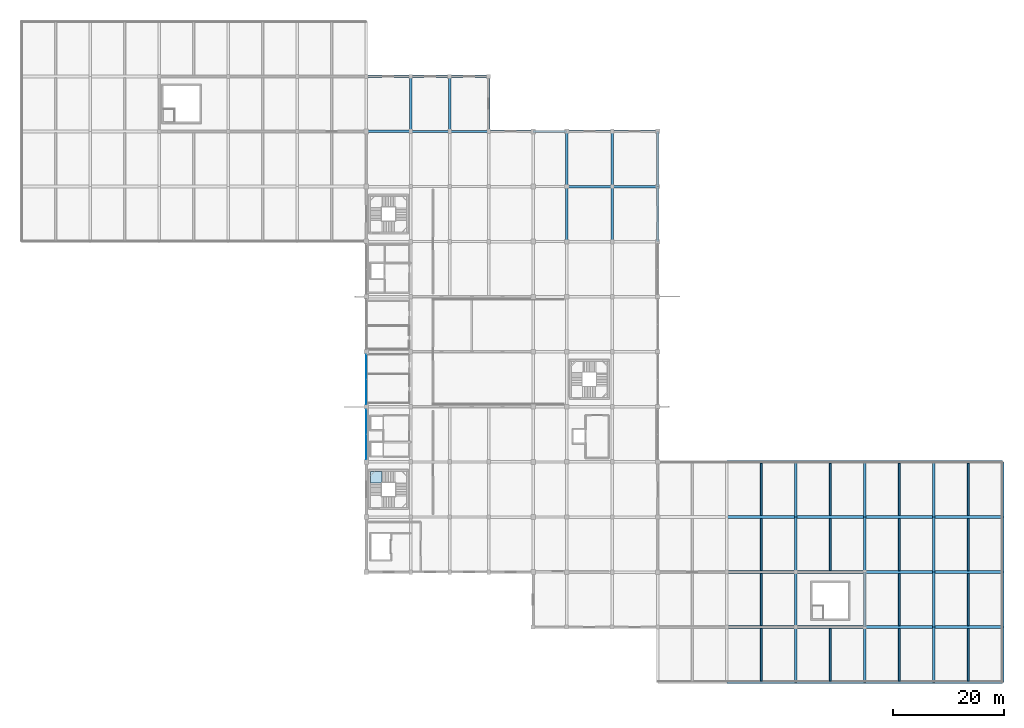
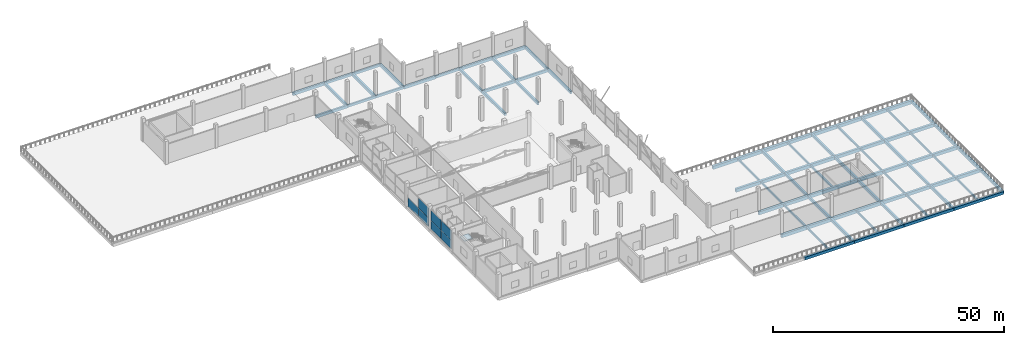
# One storey, part 23 of 46: 72 beams, 7 plates, 1 slab, 3 elements without a shape of their own.
"""IFC4 building model written with IfcOpenShell, lengths in metres."""

from ifc_helpers import new_model, si_unit, direction, frame, origin, origin_2d, place, context, subcontext, project, spatial, polyline, rectangle, outline, extrude, material, layer, layer_set, material_profile, profile_set, type_object, element, aggregate, save


model = new_model("IFC4")

# Units and contexts
model_context = context("Model", 3, precision=1e-05, world=origin(), true_north=direction((0.0, 1.0)))
body_context = subcontext(model_context, "Body", "Model", "MODEL_VIEW")
ifc_project = project(units=[si_unit("LENGTHUNIT", "METRE"), si_unit("AREAUNIT", "SQUARE_METRE"), si_unit("VOLUMEUNIT", "CUBIC_METRE"), si_unit("PLANEANGLEUNIT", "RADIAN"), si_unit("MASSUNIT", "GRAM", prefix="KILO")], contexts=[model_context])

# Site, building, storey
site_placement = place(None, origin())
site = spatial("IfcSite", under=ifc_project, at=site_placement, CompositionType="ELEMENT")
building_placement = place(site_placement, origin())
building = spatial("IfcBuilding", under=site, at=building_placement, Name="Sillaruma Civic Art Gallery", CompositionType="ELEMENT")
storey_placement = place(building_placement, frame((0.0, 0.0, 16.320068359375)))
storey = spatial("IfcBuildingStorey", under=building, at=storey_placement, Name="L03", CompositionType="ELEMENT", Elevation=16.320068359375)

# Beams
ifc_material_1 = material(Name="Concrete H35 (35 MPa)", Category="concrete")
ifc_material_profile_1 = material_profile(ifc_material_1, rectangle(XDim=0.39990234375, YDim=0.64990234375, at=origin_2d()), Name="RCB400x650")
ifc_profile_set_1 = profile_set([ifc_material_profile_1], Name="Concrete H35 (35 MPa)")
beam_type_1 = type_object("IfcBeamType", Name="BM-BEAM-RCB400x650", PredefinedType="BEAM", material=ifc_profile_set_1)
for number, where, z_axis, x_axis, name in (
    (1, (70.0, 99.0, -0.60498046875), (1.0, 0.0, 0.0), (0.0, 1.0, 0.0), "Beam BM-05 (L02:11:G-H)"),
    (2, (77.0, 99.0, -0.60498046875), (1.0, 0.0, 0.0), (0.0, 1.0, 0.0), "Beam BM-05 (L02:11:H-J)"),
):
    element("IfcBeam", number, at=place(storey_placement, frame(where, z_axis=z_axis, x_axis=x_axis)), inside=storey, type_object=beam_type_1, Name=name, PredefinedType="BEAM", context=body_context, shape_type="SweptSolid", body=[
        extrude(rectangle(XDim=0.39990234375, YDim=0.64990234375, at=origin_2d()), origin(), (0.0, 0.0, 1.0), 7.0),
    ])
beam_1_placement = place(storey_placement, frame((92.0, 99.0, -0.60498046875), z_axis=(1.0, 0.0, 0.0), x_axis=(0.0, 1.0, 0.0)))
element("IfcBeam", 3, at=beam_1_placement, inside=storey, type_object=beam_type_1, Name="Beam BM-05 (L02:11:K-L)", PredefinedType="BEAM", context=body_context, shape_type="SweptSolid", body=[
    extrude(rectangle(XDim=0.39990234375, YDim=0.64990234375, at=origin_2d()), origin(), (0.0, 0.0, 1.0), 6.0),
])
for number, where, z_axis, x_axis, name in (
    (4, (70.0, 108.89990234375, -0.60498046875), (1.0, 0.0, 0.0), (0.0, 1.0, 0.0), "Beam BM-05 (L02:12:G-H)"),
    (5, (77.0, 108.89990234375, -0.60498046875), (1.0, 0.0, 0.0), (0.0, 1.0, 0.0), "Beam BM-05 (L02:12:H-J)"),
):
    element("IfcBeam", number, at=place(storey_placement, frame(where, z_axis=z_axis, x_axis=x_axis)), inside=storey, type_object=beam_type_1, Name=name, PredefinedType="BEAM", context=body_context, shape_type="SweptSolid", body=[
        extrude(rectangle(XDim=0.39990234375, YDim=0.64990234375, at=origin_2d()), origin(), (0.0, 0.0, 1.0), 7.0),
    ])
ifc_material_2 = material(Name="Concrete H40 (40 MPa)", Category="concrete")
ifc_material_profile_2 = material_profile(ifc_material_2, rectangle(XDim=0.449951171875, YDim=0.75, at=origin_2d()), Name="RCB450x750")
ifc_profile_set_2 = profile_set([ifc_material_profile_2], Name="Concrete H40 (40 MPa)")
beam_type_2 = type_object("IfcBeamType", Name="BM-BEAM-RCB450x750", PredefinedType="BEAM", material=ifc_profile_set_2)
for number, where, z_axis, x_axis, name in (
    (6, (98.0, 89.10009765625, -0.655029296875), (1.0, 0.0, 0.0), (0.0, 1.0, 0.0), "Beam BM-03 (L02:10:L-M)"),
    (7, (106.199951171875, 89.10009765625, -0.655029296875), (1.0, 0.0, 0.0), (0.0, 1.0, 0.0), "Beam BM-03 (L02:10:M-N)"),
):
    element("IfcBeam", number, at=place(storey_placement, frame(where, z_axis=z_axis, x_axis=x_axis)), inside=storey, type_object=beam_type_2, Name=name, PredefinedType="BEAM", context=body_context, shape_type="SweptSolid", body=[
        extrude(rectangle(XDim=0.449951171875, YDim=0.75, at=origin_2d()), origin(), (0.0, 0.0, 1.0), 8.199951171875),
    ])
for number, where, z_axis, x_axis, name in (
    (8, (62.0, 99.0, -0.655029296875), (1.0, 0.0, 0.0), (0.0, 1.0, 0.0), "Beam BM-03 (L02:11:F-G)"),
    (9, (84.0, 99.0, -0.655029296875), (1.0, 0.0, 0.0), (0.0, 1.0, 0.0), "Beam BM-03 (L02:11:J-K)"),
):
    element("IfcBeam", number, at=place(storey_placement, frame(where, z_axis=z_axis, x_axis=x_axis)), inside=storey, type_object=beam_type_2, Name=name, PredefinedType="BEAM", context=body_context, shape_type="SweptSolid", body=[
        extrude(rectangle(XDim=0.449951171875, YDim=0.75, at=origin_2d()), origin(), (0.0, 0.0, 1.0), 8.0),
    ])
for number, where, z_axis, x_axis, name in (
    (10, (98.0, 99.0, -0.655029296875), (1.0, 0.0, 0.0), (0.0, 1.0, 0.0), "Beam BM-03 (L02:11:L-M)"),
    (11, (106.199951171875, 99.0, -0.655029296875), (1.0, 0.0, 0.0), (0.0, 1.0, 0.0), "Beam BM-03 (L02:11:M-N)"),
):
    element("IfcBeam", number, at=place(storey_placement, frame(where, z_axis=z_axis, x_axis=x_axis)), inside=storey, type_object=beam_type_2, Name=name, PredefinedType="BEAM", context=body_context, shape_type="SweptSolid", body=[
        extrude(rectangle(XDim=0.449951171875, YDim=0.75, at=origin_2d()), origin(), (0.0, 0.0, 1.0), 8.199951171875),
    ])
beam_2_placement = place(storey_placement, frame((62.0, 108.89990234375, -0.655029296875), z_axis=(1.0, 0.0, 0.0), x_axis=(0.0, 1.0, 0.0)))
element("IfcBeam", 12, at=beam_2_placement, inside=storey, type_object=beam_type_2, Name="Beam BM-03 (L02:12:F-G)", PredefinedType="BEAM", context=body_context, shape_type="SweptSolid", body=[
    extrude(rectangle(XDim=0.449951171875, YDim=0.75, at=origin_2d()), origin(), (0.0, 0.0, 1.0), 8.0),
])
for number, where, z_axis, x_axis, name in (
    (13, (70.0, 99.0, -0.655029296875), (0.0, 1.0, 0.0), (-1.0, 0.0, 0.0), "Beam BM-03 (L02:G:11-12)"),
    (14, (77.0, 99.0, -0.655029296875), (0.0, 1.0, 0.0), (-1.0, 0.0, 0.0), "Beam BM-03 (L02:H:11-12)"),
    (15, (84.0, 99.0, -0.655029296875), (0.0, 1.0, 0.0), (-1.0, 0.0, 0.0), "Beam BM-03 (L02:J:11-12)"),
):
    element("IfcBeam", number, at=place(storey_placement, frame(where, z_axis=z_axis, x_axis=x_axis)), inside=storey, type_object=beam_type_2, Name=name, PredefinedType="BEAM", context=body_context, shape_type="SweptSolid", body=[
        extrude(rectangle(XDim=0.449951171875, YDim=0.75, at=origin_2d()), origin(), (0.0, 0.0, 1.0), 9.89990234375),
    ])
beam_3_placement = place(storey_placement, frame((106.199951171875, 79.199951171875, -0.655029296875), z_axis=(0.0, 1.0, 0.0), x_axis=(-1.0, 0.0, 0.0)))
element("IfcBeam", 16, at=beam_3_placement, inside=storey, type_object=beam_type_2, Name="Beam BM-03 (L02:M:9-10)", PredefinedType="BEAM", context=body_context, shape_type="SweptSolid", body=[
    extrude(rectangle(XDim=0.449951171875, YDim=0.75, at=origin_2d()), origin(), (0.0, 0.0, 1.0), 9.900146484375),
])
for number, where, z_axis, x_axis, name in (
    (17, (106.199951171875, 89.10009765625, -0.655029296875), (0.0, 1.0, 0.0), (-1.0, 0.0, 0.0), "Beam BM-03 (L02:M:10-11)"),
    (18, (139.199951171875, 0.0, -0.655029296875), (0.0, 1.0, 0.0), (-1.0, 0.0, 0.0), "Beam BM-03 (L02:Q:1-2)"),
):
    element("IfcBeam", number, at=place(storey_placement, frame(where, z_axis=z_axis, x_axis=x_axis)), inside=storey, type_object=beam_type_2, Name=name, PredefinedType="BEAM", context=body_context, shape_type="SweptSolid", body=[
        extrude(rectangle(XDim=0.449951171875, YDim=0.75, at=origin_2d()), origin(), (0.0, 0.0, 1.0), 9.89990234375),
    ])
beam_4_placement = place(storey_placement, frame((139.199951171875, 9.89990234375, -0.655029296875), z_axis=(0.0, 1.0, 0.0), x_axis=(-1.0, 0.0, 0.0)))
element("IfcBeam", 19, at=beam_4_placement, inside=storey, type_object=beam_type_2, Name="Beam BM-03 (L02:Q:2-3)", PredefinedType="BEAM", context=body_context, shape_type="SweptSolid", body=[
    extrude(rectangle(XDim=0.449951171875, YDim=0.75, at=origin_2d()), origin(), (0.0, 0.0, 1.0), 9.900146484375),
])
beam_5_placement = place(storey_placement, frame((139.199951171875, 19.800048828125, -0.655029296875), z_axis=(0.0, 1.0, 0.0), x_axis=(-1.0, 0.0, 0.0)))
element("IfcBeam", 20, at=beam_5_placement, inside=storey, type_object=beam_type_2, Name="Beam BM-03 (L02:Q:3-4)", PredefinedType="BEAM", context=body_context, shape_type="SweptSolid", body=[
    extrude(rectangle(XDim=0.449951171875, YDim=0.75, at=origin_2d()), origin(), (0.0, 0.0, 1.0), 9.89990234375),
])
beam_6_placement = place(storey_placement, frame((139.199951171875, 29.699951171875, -0.655029296875), z_axis=(0.0, 1.0, 0.0), x_axis=(-1.0, 0.0, 0.0)))
element("IfcBeam", 21, at=beam_6_placement, inside=storey, type_object=beam_type_2, Name="Beam BM-03 (L02:Q:4-5)", PredefinedType="BEAM", context=body_context, shape_type="SweptSolid", body=[
    extrude(rectangle(XDim=0.449951171875, YDim=0.75, at=origin_2d()), origin(), (0.0, 0.0, 1.0), 9.900146484375),
])
beam_7_placement = place(storey_placement, frame((151.60009765625, 0.0, -0.655029296875), z_axis=(0.0, 1.0, 0.0), x_axis=(-1.0, 0.0, 0.0)))
element("IfcBeam", 22, at=beam_7_placement, inside=storey, type_object=beam_type_2, Name="Beam BM-03 (L02:R:1-2)", PredefinedType="BEAM", context=body_context, shape_type="SweptSolid", body=[
    extrude(rectangle(XDim=0.449951171875, YDim=0.75, at=origin_2d()), origin(), (0.0, 0.0, 1.0), 9.89990234375),
])
beam_8_placement = place(storey_placement, frame((151.60009765625, 9.89990234375, -0.655029296875), z_axis=(0.0, 1.0, 0.0), x_axis=(-1.0, 0.0, 0.0)))
element("IfcBeam", 23, at=beam_8_placement, inside=storey, type_object=beam_type_2, Name="Beam BM-03 (L02:R:2-3)", PredefinedType="BEAM", context=body_context, shape_type="SweptSolid", body=[
    extrude(rectangle(XDim=0.449951171875, YDim=0.75, at=origin_2d()), origin(), (0.0, 0.0, 1.0), 9.900146484375),
])
beam_9_placement = place(storey_placement, frame((151.60009765625, 19.800048828125, -0.655029296875), z_axis=(0.0, 1.0, 0.0), x_axis=(-1.0, 0.0, 0.0)))
element("IfcBeam", 24, at=beam_9_placement, inside=storey, type_object=beam_type_2, Name="Beam BM-03 (L02:R:3-4)", PredefinedType="BEAM", context=body_context, shape_type="SweptSolid", body=[
    extrude(rectangle(XDim=0.449951171875, YDim=0.75, at=origin_2d()), origin(), (0.0, 0.0, 1.0), 9.89990234375),
])
beam_10_placement = place(storey_placement, frame((151.60009765625, 29.699951171875, -0.655029296875), z_axis=(0.0, 1.0, 0.0), x_axis=(-1.0, 0.0, 0.0)))
element("IfcBeam", 25, at=beam_10_placement, inside=storey, type_object=beam_type_2, Name="Beam BM-03 (L02:R:4-5)", PredefinedType="BEAM", context=body_context, shape_type="SweptSolid", body=[
    extrude(rectangle(XDim=0.449951171875, YDim=0.75, at=origin_2d()), origin(), (0.0, 0.0, 1.0), 9.900146484375),
])
beam_11_placement = place(storey_placement, frame((164.0, 0.0, -0.655029296875), z_axis=(0.0, 1.0, 0.0), x_axis=(-1.0, 0.0, 0.0)))
element("IfcBeam", 26, at=beam_11_placement, inside=storey, type_object=beam_type_2, Name="Beam BM-03 (L02:S:1-2)", PredefinedType="BEAM", context=body_context, shape_type="SweptSolid", body=[
    extrude(rectangle(XDim=0.449951171875, YDim=0.75, at=origin_2d()), origin(), (0.0, 0.0, 1.0), 9.89990234375),
])
beam_12_placement = place(storey_placement, frame((164.0, 9.89990234375, -0.655029296875), z_axis=(0.0, 1.0, 0.0), x_axis=(-1.0, 0.0, 0.0)))
element("IfcBeam", 27, at=beam_12_placement, inside=storey, type_object=beam_type_2, Name="Beam BM-03 (L02:S:2-3)", PredefinedType="BEAM", context=body_context, shape_type="SweptSolid", body=[
    extrude(rectangle(XDim=0.449951171875, YDim=0.75, at=origin_2d()), origin(), (0.0, 0.0, 1.0), 9.900146484375),
])
beam_13_placement = place(storey_placement, frame((164.0, 19.800048828125, -0.655029296875), z_axis=(0.0, 1.0, 0.0), x_axis=(-1.0, 0.0, 0.0)))
element("IfcBeam", 28, at=beam_13_placement, inside=storey, type_object=beam_type_2, Name="Beam BM-03 (L02:S:3-4)", PredefinedType="BEAM", context=body_context, shape_type="SweptSolid", body=[
    extrude(rectangle(XDim=0.449951171875, YDim=0.75, at=origin_2d()), origin(), (0.0, 0.0, 1.0), 9.89990234375),
])
beam_14_placement = place(storey_placement, frame((164.0, 29.699951171875, -0.655029296875), z_axis=(0.0, 1.0, 0.0), x_axis=(-1.0, 0.0, 0.0)))
element("IfcBeam", 29, at=beam_14_placement, inside=storey, type_object=beam_type_2, Name="Beam BM-03 (L02:S:4-5)", PredefinedType="BEAM", context=body_context, shape_type="SweptSolid", body=[
    extrude(rectangle(XDim=0.449951171875, YDim=0.75, at=origin_2d()), origin(), (0.0, 0.0, 1.0), 9.900146484375),
])
ifc_material_profile_3 = material_profile(ifc_material_2, rectangle(XDim=0.550048828125, YDim=0.85009765625, at=origin_2d()), Name="RCB550x850")
ifc_profile_set_3 = profile_set([ifc_material_profile_3], Name="Concrete H40 (40 MPa)")
beam_type_3 = type_object("IfcBeamType", Name="BM-BEAM-RCB550x850", PredefinedType="BEAM", material=ifc_profile_set_3)
beam_15_placement = place(storey_placement, frame((126.800048828125, 9.89990234375, -0.705078125), z_axis=(1.0, 0.0, 0.0), x_axis=(0.0, 1.0, 0.0)))
element("IfcBeam", 30, at=beam_15_placement, inside=storey, type_object=beam_type_3, Name="Beam BM-01 (L02:2:P-Q)", PredefinedType="BEAM", context=body_context, shape_type="SweptSolid", body=[
    extrude(rectangle(XDim=0.550048828125, YDim=0.85009765625, at=origin_2d()), origin(), (0.0, 0.0, 1.0), 12.39990234375),
])
beam_16_placement = place(storey_placement, frame((139.199951171875, 9.89990234375, -0.705078125), z_axis=(1.0, 0.0, 0.0), x_axis=(0.0, 1.0, 0.0)))
element("IfcBeam", 31, at=beam_16_placement, inside=storey, type_object=beam_type_3, Name="Beam BM-01 (L02:2:Q-R)", PredefinedType="BEAM", context=body_context, shape_type="SweptSolid", body=[
    extrude(rectangle(XDim=0.550048828125, YDim=0.85009765625, at=origin_2d()), origin(), (0.0, 0.0, 1.0), 12.400146484375),
])
for number, where, z_axis, x_axis, name in (
    (32, (151.60009765625, 9.89990234375, -0.705078125), (1.0, 0.0, 0.0), (0.0, 1.0, 0.0), "Beam BM-01 (L02:2:R-S)"),
    (33, (164.0, 9.89990234375, -0.705078125), (1.0, 0.0, 0.0), (0.0, 1.0, 0.0), "Beam BM-01 (L02:2:S-T)"),
    (34, (126.800048828125, 19.800048828125, -0.705078125), (1.0, 0.0, 0.0), (0.0, 1.0, 0.0), "Beam BM-01 (L02:3:P-Q)"),
):
    element("IfcBeam", number, at=place(storey_placement, frame(where, z_axis=z_axis, x_axis=x_axis)), inside=storey, type_object=beam_type_3, Name=name, PredefinedType="BEAM", context=body_context, shape_type="SweptSolid", body=[
        extrude(rectangle(XDim=0.550048828125, YDim=0.85009765625, at=origin_2d()), origin(), (0.0, 0.0, 1.0), 12.39990234375),
    ])
beam_17_placement = place(storey_placement, frame((139.199951171875, 19.800048828125, -0.705078125), z_axis=(1.0, 0.0, 0.0), x_axis=(0.0, 1.0, 0.0)))
element("IfcBeam", 35, at=beam_17_placement, inside=storey, type_object=beam_type_3, Name="Beam BM-01 (L02:3:Q-R)", PredefinedType="BEAM", context=body_context, shape_type="SweptSolid", body=[
    extrude(rectangle(XDim=0.550048828125, YDim=0.85009765625, at=origin_2d()), origin(), (0.0, 0.0, 1.0), 12.400146484375),
])
for number, where, z_axis, x_axis, name in (
    (36, (151.60009765625, 19.800048828125, -0.705078125), (1.0, 0.0, 0.0), (0.0, 1.0, 0.0), "Beam BM-01 (L02:3:R-S)"),
    (37, (164.0, 19.800048828125, -0.705078125), (1.0, 0.0, 0.0), (0.0, 1.0, 0.0), "Beam BM-01 (L02:3:S-T)"),
    (38, (126.800048828125, 29.699951171875, -0.705078125), (1.0, 0.0, 0.0), (0.0, 1.0, 0.0), "Beam BM-01 (L02:4:P-Q)"),
):
    element("IfcBeam", number, at=place(storey_placement, frame(where, z_axis=z_axis, x_axis=x_axis)), inside=storey, type_object=beam_type_3, Name=name, PredefinedType="BEAM", context=body_context, shape_type="SweptSolid", body=[
        extrude(rectangle(XDim=0.550048828125, YDim=0.85009765625, at=origin_2d()), origin(), (0.0, 0.0, 1.0), 12.39990234375),
    ])
beam_18_placement = place(storey_placement, frame((139.199951171875, 29.699951171875, -0.705078125), z_axis=(1.0, 0.0, 0.0), x_axis=(0.0, 1.0, 0.0)))
element("IfcBeam", 39, at=beam_18_placement, inside=storey, type_object=beam_type_3, Name="Beam BM-01 (L02:4:Q-R)", PredefinedType="BEAM", context=body_context, shape_type="SweptSolid", body=[
    extrude(rectangle(XDim=0.550048828125, YDim=0.85009765625, at=origin_2d()), origin(), (0.0, 0.0, 1.0), 12.400146484375),
])
for number, where, z_axis, x_axis, name in (
    (40, (151.60009765625, 29.699951171875, -0.705078125), (1.0, 0.0, 0.0), (0.0, 1.0, 0.0), "Beam BM-01 (L02:4:R-S)"),
    (41, (164.0, 29.699951171875, -0.705078125), (1.0, 0.0, 0.0), (0.0, 1.0, 0.0), "Beam BM-01 (L02:4:S-T)"),
    (42, (126.800048828125, 39.60009765625, -0.705078125), (1.0, 0.0, 0.0), (0.0, 1.0, 0.0), "Beam BM-01 (L02:5:P-Q)"),
):
    element("IfcBeam", number, at=place(storey_placement, frame(where, z_axis=z_axis, x_axis=x_axis)), inside=storey, type_object=beam_type_3, Name=name, PredefinedType="BEAM", context=body_context, shape_type="SweptSolid", body=[
        extrude(rectangle(XDim=0.550048828125, YDim=0.85009765625, at=origin_2d()), origin(), (0.0, 0.0, 1.0), 12.39990234375),
    ])
beam_19_placement = place(storey_placement, frame((139.199951171875, 39.60009765625, -0.705078125), z_axis=(1.0, 0.0, 0.0), x_axis=(0.0, 1.0, 0.0)))
element("IfcBeam", 43, at=beam_19_placement, inside=storey, type_object=beam_type_3, Name="Beam BM-01 (L02:5:Q-R)", PredefinedType="BEAM", context=body_context, shape_type="SweptSolid", body=[
    extrude(rectangle(XDim=0.550048828125, YDim=0.85009765625, at=origin_2d()), origin(), (0.0, 0.0, 1.0), 12.400146484375),
])
for number, where, z_axis, x_axis, name in (
    (44, (151.60009765625, 39.60009765625, -0.705078125), (1.0, 0.0, 0.0), (0.0, 1.0, 0.0), "Beam BM-01 (L02:5:R-S)"),
    (45, (164.0, 39.60009765625, -0.705078125), (1.0, 0.0, 0.0), (0.0, 1.0, 0.0), "Beam BM-01 (L02:5:S-T)"),
):
    element("IfcBeam", number, at=place(storey_placement, frame(where, z_axis=z_axis, x_axis=x_axis)), inside=storey, type_object=beam_type_3, Name=name, PredefinedType="BEAM", context=body_context, shape_type="SweptSolid", body=[
        extrude(rectangle(XDim=0.550048828125, YDim=0.85009765625, at=origin_2d()), origin(), (0.0, 0.0, 1.0), 12.39990234375),
    ])
ifc_material_profile_4 = material_profile(ifc_material_1, rectangle(XDim=0.300048828125, YDim=0.52001953125, at=origin_2d()), Name="RCB300x520")
ifc_profile_set_4 = profile_set([ifc_material_profile_4], Name="Concrete H35 (35 MPa)")
beam_type_4 = type_object("IfcBeamType", Name="BM-JOIST-RCB300x520", PredefinedType="JOIST", material=ifc_profile_set_4)
for number, where, z_axis, x_axis, name in (
    (46, (133.0, 0.22509765625, -0.5400390625), (0.0, 1.0, 0.0), (-1.0, 0.0, 0.0), "Floor Joist JR-01 (L02:PQ:1-2)"),
    (47, (145.39990234375, 0.22509765625, -0.5400390625), (0.0, 1.0, 0.0), (-1.0, 0.0, 0.0), "Floor Joist JR-01 (L02:QR:1-2)"),
    (48, (157.800048828125, 0.22509765625, -0.5400390625), (0.0, 1.0, 0.0), (-1.0, 0.0, 0.0), "Floor Joist JR-01 (L02:RS:1-2)"),
    (49, (170.199951171875, 0.22509765625, -0.5400390625), (0.0, 1.0, 0.0), (-1.0, 0.0, 0.0), "Floor Joist JR-01 (L02:ST:1-2)"),
):
    element("IfcBeam", number, at=place(storey_placement, frame(where, z_axis=z_axis, x_axis=x_axis)), inside=storey, type_object=beam_type_4, Name=name, PredefinedType="JOIST", context=body_context, shape_type="SweptSolid", body=[
        extrude(rectangle(XDim=0.300048828125, YDim=0.52001953125, at=origin_2d()), origin(), (0.0, 0.0, 1.0), 9.39990234375),
    ])
for number, where, z_axis, x_axis, name in (
    (50, (133.0, 10.175048828125, -0.5400390625), (0.0, 1.0, 0.0), (-1.0, 0.0, 0.0), "Floor Joist JR-01 (L02:PQ:2-3)"),
    (51, (157.800048828125, 10.175048828125, -0.5400390625), (0.0, 1.0, 0.0), (-1.0, 0.0, 0.0), "Floor Joist JR-01 (L02:RS:2-3)"),
    (52, (170.199951171875, 10.175048828125, -0.5400390625), (0.0, 1.0, 0.0), (-1.0, 0.0, 0.0), "Floor Joist JR-01 (L02:ST:2-3)"),
):
    element("IfcBeam", number, at=place(storey_placement, frame(where, z_axis=z_axis, x_axis=x_axis)), inside=storey, type_object=beam_type_4, Name=name, PredefinedType="JOIST", context=body_context, shape_type="SweptSolid", body=[
        extrude(rectangle(XDim=0.300048828125, YDim=0.52001953125, at=origin_2d()), origin(), (0.0, 0.0, 1.0), 9.349853515625),
    ])
for number, where, z_axis, x_axis, name in (
    (53, (133.0, 20.074951171875, -0.5400390625), (0.0, 1.0, 0.0), (-1.0, 0.0, 0.0), "Floor Joist JR-01 (L02:PQ:3-4)"),
    (54, (145.39990234375, 20.074951171875, -0.5400390625), (0.0, 1.0, 0.0), (-1.0, 0.0, 0.0), "Floor Joist JR-01 (L02:QR:3-4)"),
    (55, (157.800048828125, 20.074951171875, -0.5400390625), (0.0, 1.0, 0.0), (-1.0, 0.0, 0.0), "Floor Joist JR-01 (L02:RS:3-4)"),
    (56, (170.199951171875, 20.074951171875, -0.5400390625), (0.0, 1.0, 0.0), (-1.0, 0.0, 0.0), "Floor Joist JR-01 (L02:ST:3-4)"),
):
    element("IfcBeam", number, at=place(storey_placement, frame(where, z_axis=z_axis, x_axis=x_axis)), inside=storey, type_object=beam_type_4, Name=name, PredefinedType="JOIST", context=body_context, shape_type="SweptSolid", body=[
        extrude(rectangle(XDim=0.300048828125, YDim=0.52001953125, at=origin_2d()), origin(), (0.0, 0.0, 1.0), 9.35009765625),
    ])
for number, where, z_axis, x_axis, name in (
    (57, (133.0, 29.97509765625, -0.5400390625), (0.0, 1.0, 0.0), (-1.0, 0.0, 0.0), "Floor Joist JR-01 (L02:PQ:4-5)"),
    (58, (145.39990234375, 29.97509765625, -0.5400390625), (0.0, 1.0, 0.0), (-1.0, 0.0, 0.0), "Floor Joist JR-01 (L02:QR:4-5)"),
    (59, (157.800048828125, 29.97509765625, -0.5400390625), (0.0, 1.0, 0.0), (-1.0, 0.0, 0.0), "Floor Joist JR-01 (L02:RS:4-5)"),
    (60, (170.199951171875, 29.97509765625, -0.5400390625), (0.0, 1.0, 0.0), (-1.0, 0.0, 0.0), "Floor Joist JR-01 (L02:ST:4-5)"),
):
    element("IfcBeam", number, at=place(storey_placement, frame(where, z_axis=z_axis, x_axis=x_axis)), inside=storey, type_object=beam_type_4, Name=name, PredefinedType="JOIST", context=body_context, shape_type="SweptSolid", body=[
        extrude(rectangle(XDim=0.300048828125, YDim=0.52001953125, at=origin_2d()), origin(), (0.0, 0.0, 1.0), 9.349853515625),
    ])
ifc_material_profile_5 = material_profile(ifc_material_1, rectangle(XDim=0.449951171875, YDim=0.699951171875, at=origin_2d()), Name="RCB450x700")
ifc_profile_set_5 = profile_set([ifc_material_profile_5], Name="Concrete H35 (35 MPa)")
beam_type_5 = type_object("IfcBeamType", Name="BM-SPANDREL-RCB450x700", PredefinedType="SPANDREL", material=ifc_profile_set_5)
beam_20_placement = place(storey_placement, frame((98.0, 79.199951171875, -0.630126953125), z_axis=(0.0, 1.0, 0.0), x_axis=(-1.0, 0.0, 0.0)))
element("IfcBeam", 61, at=beam_20_placement, inside=storey, type_object=beam_type_5, Name="Beam BS-03 (L02:L:9-10)", PredefinedType="SPANDREL", context=body_context, shape_type="SweptSolid", body=[
    extrude(rectangle(XDim=0.449951171875, YDim=0.699951171875, at=origin_2d()), origin(), (0.0, 0.0, 1.0), 9.900146484375),
])
beam_21_placement = place(storey_placement, frame((98.0, 89.10009765625, -0.630126953125), z_axis=(0.0, 1.0, 0.0), x_axis=(-1.0, 0.0, 0.0)))
element("IfcBeam", 62, at=beam_21_placement, inside=storey, type_object=beam_type_5, Name="Beam BS-03 (L02:L:10-11)", PredefinedType="SPANDREL", context=body_context, shape_type="SweptSolid", body=[
    extrude(rectangle(XDim=0.449951171875, YDim=0.699951171875, at=origin_2d()), origin(), (0.0, 0.0, 1.0), 9.89990234375),
])
beam_22_placement = place(storey_placement, frame((114.39990234375, 79.199951171875, -0.630126953125), z_axis=(0.0, 1.0, 0.0), x_axis=(-1.0, 0.0, 0.0)))
element("IfcBeam", 63, at=beam_22_placement, inside=storey, type_object=beam_type_5, Name="Beam BS-03 (L02:N:9-10)", PredefinedType="SPANDREL", context=body_context, shape_type="SweptSolid", body=[
    extrude(rectangle(XDim=0.449951171875, YDim=0.699951171875, at=origin_2d()), origin(), (0.0, 0.0, 1.0), 9.900146484375),
])
for number, where, z_axis, x_axis, name in (
    (64, (114.39990234375, 89.10009765625, -0.630126953125), (0.0, 1.0, 0.0), (-1.0, 0.0, 0.0), "Beam BS-03 (L02:N:10-11)"),
    (65, (176.39990234375, 0.0, -0.630126953125), (0.0, 1.0, 0.0), (-1.0, 0.0, 0.0), "Beam BS-03 (L02:T:1-2)"),
):
    element("IfcBeam", number, at=place(storey_placement, frame(where, z_axis=z_axis, x_axis=x_axis)), inside=storey, type_object=beam_type_5, Name=name, PredefinedType="SPANDREL", context=body_context, shape_type="SweptSolid", body=[
        extrude(rectangle(XDim=0.449951171875, YDim=0.699951171875, at=origin_2d()), origin(), (0.0, 0.0, 1.0), 9.89990234375),
    ])
beam_23_placement = place(storey_placement, frame((176.39990234375, 9.89990234375, -0.630126953125), z_axis=(0.0, 1.0, 0.0), x_axis=(-1.0, 0.0, 0.0)))
element("IfcBeam", 66, at=beam_23_placement, inside=storey, type_object=beam_type_5, Name="Beam BS-03 (L02:T:2-3)", PredefinedType="SPANDREL", context=body_context, shape_type="SweptSolid", body=[
    extrude(rectangle(XDim=0.449951171875, YDim=0.699951171875, at=origin_2d()), origin(), (0.0, 0.0, 1.0), 9.900146484375),
])
beam_24_placement = place(storey_placement, frame((176.39990234375, 19.800048828125, -0.630126953125), z_axis=(0.0, 1.0, 0.0), x_axis=(-1.0, 0.0, 0.0)))
element("IfcBeam", 67, at=beam_24_placement, inside=storey, type_object=beam_type_5, Name="Beam BS-03 (L02:T:3-4)", PredefinedType="SPANDREL", context=body_context, shape_type="SweptSolid", body=[
    extrude(rectangle(XDim=0.449951171875, YDim=0.699951171875, at=origin_2d()), origin(), (0.0, 0.0, 1.0), 9.89990234375),
])
beam_25_placement = place(storey_placement, frame((176.39990234375, 29.699951171875, -0.630126953125), z_axis=(0.0, 1.0, 0.0), x_axis=(-1.0, 0.0, 0.0)))
element("IfcBeam", 68, at=beam_25_placement, inside=storey, type_object=beam_type_5, Name="Beam BS-03 (L02:T:4-5)", PredefinedType="SPANDREL", context=body_context, shape_type="SweptSolid", body=[
    extrude(rectangle(XDim=0.449951171875, YDim=0.699951171875, at=origin_2d()), origin(), (0.0, 0.0, 1.0), 9.900146484375),
])
ifc_material_profile_6 = material_profile(ifc_material_2, rectangle(XDim=0.449951171875, YDim=0.75, at=origin_2d()), Name="RCB450x750")
ifc_profile_set_6 = profile_set([ifc_material_profile_6], Name="Concrete H40 (40 MPa)")
beam_type_6 = type_object("IfcBeamType", Name="BM-SPANDREL-RCB450x750", PredefinedType="SPANDREL", material=ifc_profile_set_6)
beam_26_placement = place(storey_placement, frame((126.800048828125, 0.0, -0.655029296875), z_axis=(1.0, 0.0, 0.0), x_axis=(0.0, 1.0, 0.0)))
element("IfcBeam", 69, at=beam_26_placement, inside=storey, type_object=beam_type_6, Name="Beam BS-01 (L02:1:P-Q)", PredefinedType="SPANDREL", context=body_context, shape_type="SweptSolid", body=[
    extrude(rectangle(XDim=0.449951171875, YDim=0.75, at=origin_2d()), origin(), (0.0, 0.0, 1.0), 12.39990234375),
])
beam_27_placement = place(storey_placement, frame((139.199951171875, 0.0, -0.655029296875), z_axis=(1.0, 0.0, 0.0), x_axis=(0.0, 1.0, 0.0)))
element("IfcBeam", 70, at=beam_27_placement, inside=storey, type_object=beam_type_6, Name="Beam BS-01 (L02:1:Q-R)", PredefinedType="SPANDREL", context=body_context, shape_type="SweptSolid", body=[
    extrude(rectangle(XDim=0.449951171875, YDim=0.75, at=origin_2d()), origin(), (0.0, 0.0, 1.0), 12.400146484375),
])
for number, where, z_axis, x_axis, name in (
    (71, (151.60009765625, 0.0, -0.655029296875), (1.0, 0.0, 0.0), (0.0, 1.0, 0.0), "Beam BS-01 (L02:1:R-S)"),
    (72, (164.0, 0.0, -0.655029296875), (1.0, 0.0, 0.0), (0.0, 1.0, 0.0), "Beam BS-01 (L02:1:S-T)"),
):
    element("IfcBeam", number, at=place(storey_placement, frame(where, z_axis=z_axis, x_axis=x_axis)), inside=storey, type_object=beam_type_6, Name=name, PredefinedType="SPANDREL", context=body_context, shape_type="SweptSolid", body=[
        extrude(rectangle(XDim=0.449951171875, YDim=0.75, at=origin_2d()), origin(), (0.0, 0.0, 1.0), 12.39990234375),
    ])

# Curtain wall, plate
ifc_material_3 = material(Name="Thermally Broken Extruded Aluminium 6063-T6", Category="aluminium")
ifc_layer_1 = layer(ifc_material_3, 0.139892578125, Name="Thermally Broken Extruded Aluminium 6063-T6")
ifc_layer_set_1 = layer_set([ifc_layer_1], Name="Thermally Broken Extruded Aluminium 6063-T6")
curtain_wall_type_1 = type_object("IfcCurtainWallType", Name="CW-UNI-19", PredefinedType="NOTDEFINED", material=ifc_layer_set_1)
curtain_wall_1_placement = place(storey_placement, origin())
curtain_wall_1 = element("IfcCurtainWall", 73, at=curtain_wall_1_placement, inside=storey, type_object=curtain_wall_type_1, Name="Unitised Curtain Wall CW-19 (CW-L03-W-3)", PredefinedType="NOTDEFINED")
ifc_material_4 = material(Name="Low-E UV-Filtered Laminated Insulating Glass", Category="glass")
ifc_layer_2 = layer(ifc_material_4, 0.028076171875, Name="Low-E UV-Filtered Laminated Insulating Glass")
ifc_layer_set_2 = layer_set([ifc_layer_2], Name="Low-E UV-Filtered Laminated Insulating Glass")
plate_type_1 = type_object("IfcPlateType", Name="PNL-GLZ-28", PredefinedType="CURTAIN_PANEL", material=ifc_layer_set_2)
plate_1_placement = place(storey_placement, frame((62.0, 46.797607421875, 0.06005859375), z_axis=(0.0, 0.0, 1.0), x_axis=(0.0, 1.0, 0.0)))
plate_1 = element("IfcPlate", 74, at=plate_1_placement, type_object=plate_type_1, Name="CW-19 panel 2.1", PredefinedType="CURTAIN_PANEL", context=body_context, shape_type="SweptSolid", body=[
    extrude(rectangle(XDim=4.43505859375, YDim=0.028076171875, at=origin_2d()), origin(), (0.0, 0.0, 1.0), 2.246826171875),
])

# Curtain wall, plates
ifc_layer_3 = layer(ifc_material_3, 0.179931640625, Name="Thermally Broken Extruded Aluminium 6063-T6")
ifc_layer_set_3 = layer_set([ifc_layer_3], Name="Thermally Broken Extruded Aluminium 6063-T6")
curtain_wall_type_2 = type_object("IfcCurtainWallType", Name="CW-UNI-21", PredefinedType="NOTDEFINED", material=ifc_layer_set_3)
curtain_wall_2_placement = place(storey_placement, origin())
curtain_wall_2 = element("IfcCurtainWall", 75, at=curtain_wall_2_placement, inside=storey, type_object=curtain_wall_type_2, Name="Unitised Curtain Wall CW-21 (CW-L03-W-4)", PredefinedType="NOTDEFINED")
ifc_layer_4 = layer(ifc_material_4, 0.0400390625, Name="Low-E UV-Filtered Laminated Insulating Glass")
ifc_layer_set_4 = layer_set([ifc_layer_4], Name="Low-E UV-Filtered Laminated Insulating Glass")
plate_type_2 = type_object("IfcPlateType", Name="PNL-GLZ-40", PredefinedType="CURTAIN_PANEL", material=ifc_layer_set_4)
plate_2_placement = place(storey_placement, frame((62.0, 52.205078125, 0.06494140625), z_axis=(0.0, 0.0, 1.0), x_axis=(0.0, 1.0, 0.0)))
plate_2 = element("IfcPlate", 76, at=plate_2_placement, type_object=plate_type_2, Name="CW-21 panel 1.1", PredefinedType="CURTAIN_PANEL", context=body_context, shape_type="SweptSolid", body=[
    extrude(rectangle(XDim=4.419921875, YDim=0.0400390625, at=origin_2d()), origin(), (0.0, 0.0, 1.0), 2.2392578125),
])
plate_3_placement = place(storey_placement, frame((62.0, 52.205078125, 2.369140625), z_axis=(0.0, 0.0, 1.0), x_axis=(0.0, 1.0, 0.0)))
plate_3 = element("IfcPlate", 77, at=plate_3_placement, type_object=plate_type_2, Name="CW-21 panel 1.2", PredefinedType="CURTAIN_PANEL", context=body_context, shape_type="SweptSolid", body=[
    extrude(rectangle(XDim=4.419921875, YDim=0.0400390625, at=origin_2d()), origin(), (0.0, 0.0, 1.0), 2.645751953125),
])
plate_4_placement = place(storey_placement, frame((62.0, 56.695068359375, 0.06494140625), z_axis=(0.0, 0.0, 1.0), x_axis=(0.0, 1.0, 0.0)))
plate_4 = element("IfcPlate", 78, at=plate_4_placement, type_object=plate_type_2, Name="CW-21 panel 2.1", PredefinedType="CURTAIN_PANEL", context=body_context, shape_type="SweptSolid", body=[
    extrude(rectangle(XDim=4.419921875, YDim=0.0400390625, at=origin_2d()), origin(), (0.0, 0.0, 1.0), 2.2392578125),
])
aggregate(curtain_wall_2, [plate_2, plate_3, plate_4])

# Plate
ifc_material_5 = material(Name="Anodised Zinc-Aluminium Alloy", Category="aluminium")
ifc_layer_5 = layer(ifc_material_5, 0.028076171875, Name="Anodised Zinc-Aluminium Alloy")
ifc_layer_set_5 = layer_set([ifc_layer_5], Name="Anodised Zinc-Aluminium Alloy")
plate_type_3 = type_object("IfcPlateType", Name="PNL-SPD-28", PredefinedType="CURTAIN_PANEL", material=ifc_layer_set_5)
plate_5_placement = place(storey_placement, frame((62.0, 42.302490234375, 0.06005859375), z_axis=(0.0, 0.0, 1.0), x_axis=(0.0, 1.0, 0.0)))
plate_5 = element("IfcPlate", 79, at=plate_5_placement, type_object=plate_type_3, Name="CW-19 panel 1.1", PredefinedType="CURTAIN_PANEL", context=body_context, shape_type="SweptSolid", body=[
    extrude(rectangle(XDim=4.43505859375, YDim=0.028076171875, at=origin_2d()), origin(), (0.0, 0.0, 1.0), 2.246826171875),
])

plate_6_placement = place(storey_placement, frame((62.0, 42.302490234375, 2.36669921875), z_axis=(0.0, 0.0, 1.0), x_axis=(0.0, 1.0, 0.0)))
plate_6 = element("IfcPlate", 80, at=plate_6_placement, type_object=plate_type_3, Name="CW-19 panel 1.2", PredefinedType="CURTAIN_PANEL", context=body_context, shape_type="SweptSolid", body=[
    extrude(rectangle(XDim=4.43505859375, YDim=0.028076171875, at=origin_2d()), origin(), (0.0, 0.0, 1.0), 2.6533203125),
])

plate_7_placement = place(storey_placement, frame((62.0, 46.797607421875, 2.36669921875), z_axis=(0.0, 0.0, 1.0), x_axis=(0.0, 1.0, 0.0)))
plate_7 = element("IfcPlate", 81, at=plate_7_placement, type_object=plate_type_3, Name="CW-19 panel 2.2", PredefinedType="CURTAIN_PANEL", context=body_context, shape_type="SweptSolid", body=[
    extrude(rectangle(XDim=4.43505859375, YDim=0.028076171875, at=origin_2d()), origin(), (0.0, 0.0, 1.0), 2.6533203125),
])

aggregate(curtain_wall_1, [plate_5, plate_6, plate_1, plate_7])

# Stair, slab
stair_type = type_object("IfcStairType", Name="STR-4F-36", PredefinedType="USERDEFINED", material=ifc_material_1)
stair_placement = place(storey_placement, origin())
stair = element("IfcStair", 82, at=stair_placement, inside=storey, type_object=stair_type, Name="Protected Exit Stair ST-03 (West Bar South) (L03)", ObjectType="THREE_RETURN_STAIR", PredefinedType="USERDEFINED")
ifc_layer_6 = layer(ifc_material_1, 0.199951171875, Name="Concrete H35 (35 MPa)")
ifc_layer_set_6 = layer_set([ifc_layer_6], Name="Concrete H35 (35 MPa)")
slab_type = type_object("IfcSlabType", Name="SLB-LND-200", PredefinedType="LANDING", material=ifc_layer_set_6)
slab_placement = place(storey_placement, frame((0.0, 0.0, 4.389892578125)))
slab = element("IfcSlab", 83, at=slab_placement, type_object=slab_type, Name="ST-03 landing 3", PredefinedType="LANDING", context=body_context, shape_type="SweptSolid", body=[
    extrude(outline(polyline([(62.760009765625, 35.85009765625), (64.8798828125, 35.85009765625), (64.8798828125, 37.889892578125), (62.760009765625, 37.889892578125), (62.760009765625, 35.85009765625)])), origin(), (0.0, 0.0, 1.0), 0.199951171875),
])
aggregate(stair, [slab])

save(model, "model.ifc")
